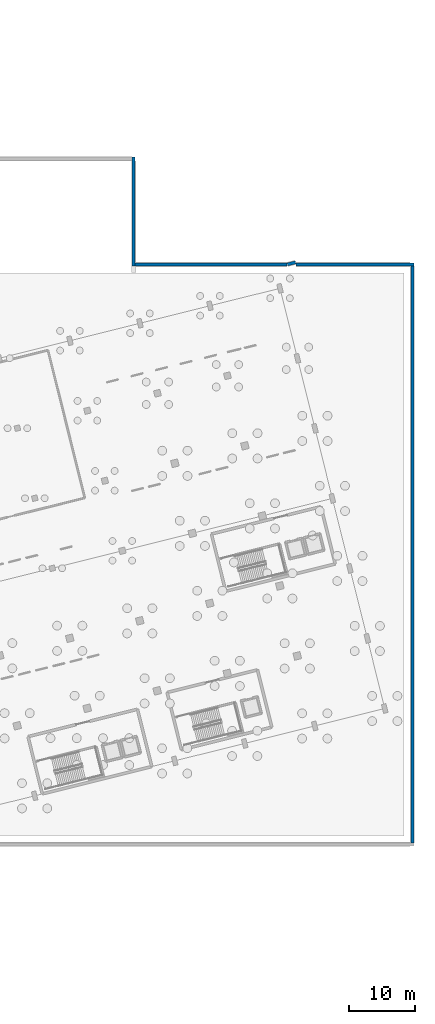
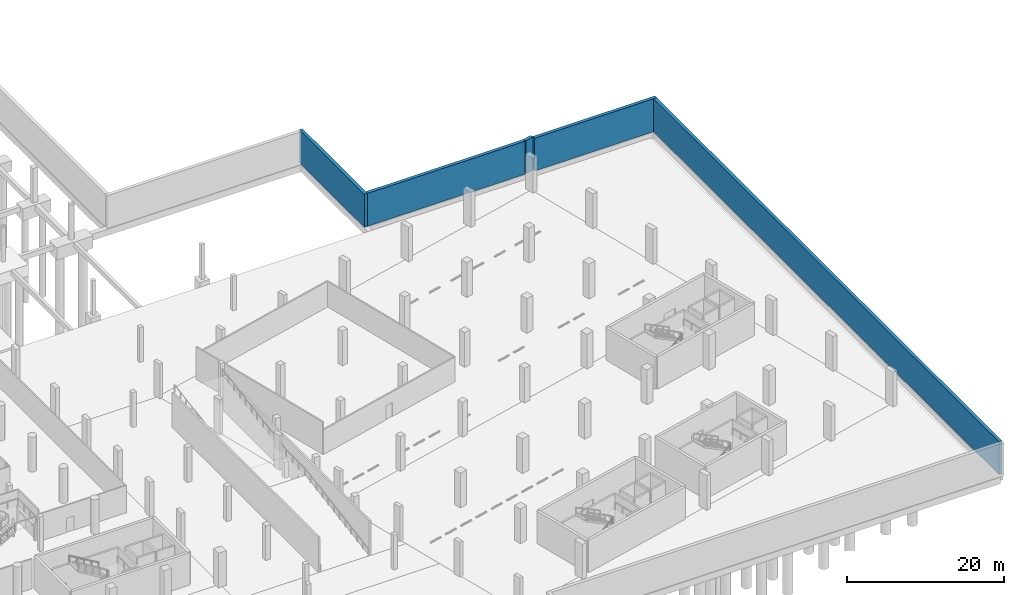
# One storey, part 56 of 65: 5 walls.
"""IFC4 building model written with IfcOpenShell, lengths in metres."""

from ifc_helpers import new_model, si_unit, direction, frame, frame_2d, origin, place, context, subcontext, project, spatial, rectangle, extrude, material, layer, layer_set, type_object, element, save


model = new_model("IFC4")

# Units and contexts
model_context = context("Model", 3, precision=1e-05, world=origin(), true_north=direction((0.0, 1.0)))
body_context = subcontext(model_context, "Body", "Model", "MODEL_VIEW")
ifc_project = project(units=[si_unit("LENGTHUNIT", "METRE"), si_unit("AREAUNIT", "SQUARE_METRE"), si_unit("VOLUMEUNIT", "CUBIC_METRE"), si_unit("PLANEANGLEUNIT", "RADIAN"), si_unit("MASSUNIT", "GRAM", prefix="KILO")], contexts=[model_context])

# Site, building, storey
site_placement = place(None, origin())
site = spatial("IfcSite", under=ifc_project, at=site_placement, CompositionType="ELEMENT")
building_placement = place(site_placement, origin())
building = spatial("IfcBuilding", under=site, at=building_placement, Name="Khorjan Park Terminus", CompositionType="ELEMENT")
storey_placement = place(building_placement, frame((0.0, 0.0, -5.4)))
storey = spatial("IfcBuildingStorey", under=building, at=storey_placement, Name="B1", CompositionType="ELEMENT", Elevation=-5.4)

# Walls
ifc_material = material(Name="Concrete C40/50", Category="concrete")
ifc_layer = layer(ifc_material, 0.48)
ifc_layer_set = layer_set([ifc_layer], Name="Concrete C40/50")
wall_type = type_object("IfcWallType", Name="RW-48", PredefinedType="SOLIDWALL", material=ifc_layer_set)
wall_1_placement = place(storey_placement, frame((191.76, 102.0, 0.0), z_axis=(0.0, 0.0, 1.0), x_axis=(0.0, -1.0, 0.0)))
element("IfcWall", 1, at=wall_1_placement, inside=storey, type_object=wall_type, Name="Perimeter substructure concrete retaining wall RW-48 (52)", PredefinedType="SOLIDWALL", context=body_context, shape_type="SweptSolid", body=[
    extrude(rectangle(XDim=16.603, YDim=0.48, at=frame_2d((8.3015, 0.0))), origin(), (0.0, 0.0, 1.0), 5.12),
])
wall_2_placement = place(storey_placement, frame((192.0, 85.637, 0.0), z_axis=(0.0, 0.0, 1.0), x_axis=(1.0, 0.0, 0.0)))
element("IfcWall", 2, at=wall_2_placement, inside=storey, type_object=wall_type, Name="Perimeter substructure concrete retaining wall RW-48 (53)", PredefinedType="SOLIDWALL", context=body_context, shape_type="SweptSolid", body=[
    extrude(rectangle(XDim=23.1293, YDim=0.48, at=frame_2d((11.5647, 0.0))), origin(), (0.0, 0.0, 1.0), 5.12),
])
wall_3_placement = place(storey_placement, frame((215.1874, 85.6441, 0.0), z_axis=(0.0, 0.0, 1.0), x_axis=(0.970296344221, 0.241919417145, 0.0)))
element("IfcWall", 3, at=wall_3_placement, inside=storey, type_object=wall_type, Name="Perimeter substructure concrete retaining wall RW-48 (54)", PredefinedType="SOLIDWALL", context=body_context, shape_type="SweptSolid", body=[
    extrude(rectangle(XDim=1.2984, YDim=0.48, at=frame_2d((0.6492, 0.0))), origin(), (0.0, 0.0, 1.0), 5.12),
])
wall_4_placement = place(storey_placement, frame((216.5273, 85.637, 0.0), z_axis=(0.0, 0.0, 1.0), x_axis=(1.0, 0.0, 0.0)))
element("IfcWall", 4, at=wall_4_placement, inside=storey, type_object=wall_type, Name="Perimeter substructure concrete retaining wall RW-48 (55)", PredefinedType="SOLIDWALL", context=body_context, shape_type="SweptSolid", body=[
    extrude(rectangle(XDim=17.9617, YDim=0.48, at=frame_2d((8.9809, 0.0))), origin(), (0.0, 0.0, 1.0), 5.12),
])
wall_5_placement = place(storey_placement, frame((234.249, 85.397, 0.0), z_axis=(0.0, 0.0, 1.0), x_axis=(0.0, -1.0, 0.0)))
element("IfcWall", 5, at=wall_5_placement, inside=storey, type_object=wall_type, Name="Perimeter substructure concrete retaining wall RW-48 (56)", PredefinedType="SOLIDWALL", context=body_context, shape_type="SweptSolid", body=[
    extrude(rectangle(XDim=87.909, YDim=0.48, at=frame_2d((43.9545, 0.0))), origin(), (0.0, 0.0, 1.0), 5.12),
])

save(model, "model.ifc")
